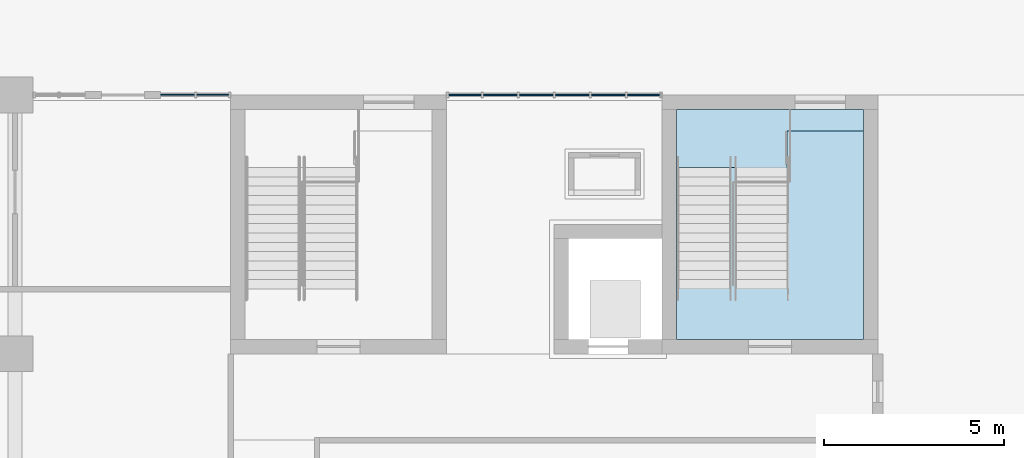
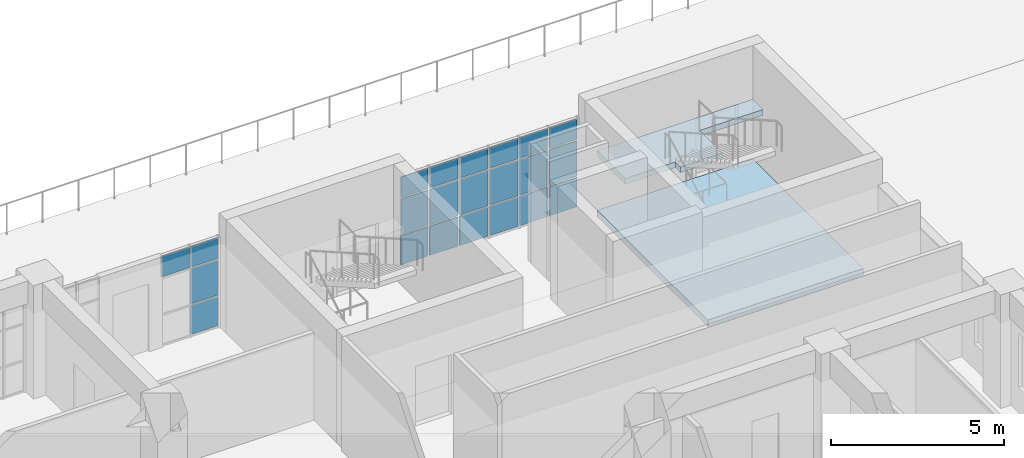
# One storey, part 66 of 101: 22 plates, 2 slabs, 3 elements without a shape of their own.
"""IFC4 building model written with IfcOpenShell, lengths in metres."""

import ifcopenshell
import ifcopenshell.guid

model = None  # the IFC model being written
_history = None  # IfcOwnerHistory: only IFC2X3 demands one
_inside = {}  # id of a spatial element -> (the spatial element, [elements in it])
_under = {}  # id of a project, library or spatial element -> (it, [spatial elements below it])
_declared = {}  # id of a project -> (the project, [libraries it declares])
_typed = {}  # id of a type object -> (the type object, [elements of that type])
_made_of = {}  # id of a material, layer set ... -> (it, [elements and type objects made of it])


def new_model(schema):
    """Start an empty IFC model of exactly this schema.

    Asked for "IFC4X3", IfcOpenShell would pick the latest addendum, in which some entities
    have other attributes; the version numbers below select the first issue.
    IFC2X3 requires an IfcOwnerHistory on every rooted entity: one is made here for all.
    """
    global model, _history
    if schema == "IFC4X3":
        model = ifcopenshell.file(schema_version=(4, 3, 0, 0))
    else:
        model = ifcopenshell.file(schema=schema)
    _inside.clear()
    _under.clear()
    _declared.clear()
    _typed.clear()
    _made_of.clear()
    _history = None
    if model.schema == "IFC2X3":
        org = make("IfcOrganization", Name="unknown")
        user = make(
            "IfcPersonAndOrganization",
            ThePerson=make("IfcPerson", FamilyName="unknown"),
            TheOrganization=org,
        )
        app = make(
            "IfcApplication",
            ApplicationDeveloper=org,
            Version="unknown",
            ApplicationFullName="unknown",
            ApplicationIdentifier="unknown",
        )
        _history = make(
            "IfcOwnerHistory",
            OwningUser=user,
            OwningApplication=app,
            ChangeAction="ADDED",
            CreationDate=0,
        )
    return model


def make(cls, **values):
    """One entity of the class cls with the attributes given. An attribute that is None is left unset."""
    return model.create_entity(
        cls, **{name: value for name, value in values.items() if value is not None}
    )


def rooted(cls, **values):
    """An entity with a GlobalId (a new one), such as an element, a storey or a relation."""
    return make(cls, GlobalId=ifcopenshell.guid.new(), OwnerHistory=_history, **values)


def si_unit(unit_type, name, prefix=None):
    """IfcSIUnit, for example si_unit("LENGTHUNIT", "METRE", prefix="MILLI")."""
    return make("IfcSIUnit", UnitType=unit_type, Prefix=prefix, Name=name)


def assignment(units):
    """IfcUnitAssignment: the units of a project."""
    return None if units is None else make("IfcUnitAssignment", Units=units)


def point(xyz):
    """IfcCartesianPoint."""
    return None if xyz is None else make("IfcCartesianPoint", Coordinates=xyz)


def direction(xyz):
    """IfcDirection."""
    return None if xyz is None else make("IfcDirection", DirectionRatios=xyz)


def frame(location, z_axis=None, x_axis=None):
    """IfcAxis2Placement3D, a coordinate frame: its origin and axes. An axis left out is left unset."""
    return make(
        "IfcAxis2Placement3D",
        Location=point(location),
        Axis=direction(z_axis),
        RefDirection=direction(x_axis),
    )


def frame_2d(location, x_axis=None):
    """IfcAxis2Placement2D, a coordinate frame in the plane: its origin and x axis."""
    return make(
        "IfcAxis2Placement2D", Location=point(location), RefDirection=direction(x_axis)
    )


def origin():
    """The frame at (0, 0, 0) with its axes left unset."""
    return frame((0.0, 0.0, 0.0))


def origin_2d():
    """The frame at (0, 0) in the plane with its x axis left unset."""
    return frame_2d((0.0, 0.0))


def place(relative_to, where):
    """IfcLocalPlacement: puts the frame where relative to a parent placement (None: the world)."""
    return make(
        "IfcLocalPlacement", PlacementRelTo=relative_to, RelativePlacement=where
    )


def context(
    kind, dimensions, precision=None, world=None, true_north=None, identifier=None
):
    """IfcGeometricRepresentationContext, for example the 3D "Model" context."""
    return make(
        "IfcGeometricRepresentationContext",
        ContextIdentifier=identifier,
        ContextType=kind,
        CoordinateSpaceDimension=dimensions,
        Precision=precision,
        WorldCoordinateSystem=world,
        TrueNorth=true_north,
    )


def subcontext(parent, identifier, kind, view, scale=None):
    """IfcGeometricRepresentationSubContext, for example "Body" below "Model"."""
    return make(
        "IfcGeometricRepresentationSubContext",
        ContextIdentifier=identifier,
        ContextType=kind,
        ParentContext=parent,
        TargetScale=scale,
        TargetView=view,
    )


def project(units=None, contexts=None):
    """IfcProject with its units and contexts."""
    return rooted(
        "IfcProject",
        Name="project",
        RepresentationContexts=contexts,
        UnitsInContext=assignment(units),
    )


def spatial(cls, under=None, at=None, **own):
    """A site, building, storey or space (cls), placed at a placement, below another one or the project."""
    s = rooted(cls, ObjectPlacement=at, **own)
    if under is not None:
        _under.setdefault(under.id(), (under, []))[1].append(s)
    return s


def polyline(points):
    """IfcPolyline through the points."""
    return make("IfcPolyline", Points=[point(p) for p in points])


def profile(cls, at=None, kind="AREA", **sizes):
    """A parametric profile (cls). Its sizes go by their IFC names, for example OverallWidth=200.0."""
    return make(cls, ProfileType=kind, Position=at, **sizes)


def rectangle(**sizes):
    """IfcRectangleProfileDef."""
    return profile("IfcRectangleProfileDef", **sizes)


def outline(outer, holes=None, kind="AREA"):
    """IfcArbitraryClosedProfileDef: a profile drawn as a closed curve; with holes, ...WithVoids."""
    if holes is None:
        return make("IfcArbitraryClosedProfileDef", ProfileType=kind, OuterCurve=outer)
    return make(
        "IfcArbitraryProfileDefWithVoids",
        ProfileType=kind,
        OuterCurve=outer,
        InnerCurves=holes,
    )


def extrude(swept, where, along, depth):
    """IfcExtrudedAreaSolid: the profile swept, set in the frame where, extruded along a direction by depth."""
    return make(
        "IfcExtrudedAreaSolid",
        SweptArea=swept,
        Position=where,
        ExtrudedDirection=direction(along),
        Depth=depth,
    )


def shape(context_of_items, identifier, shape_type, items):
    """IfcShapeRepresentation: the items that make up one representation, for example the "Body"."""
    return make(
        "IfcShapeRepresentation",
        ContextOfItems=context_of_items,
        RepresentationIdentifier=identifier,
        RepresentationType=shape_type,
        Items=items,
    )


def material(Name=None, Category=None):
    """IfcMaterial."""
    return make("IfcMaterial", Name=Name, Category=Category)


def layer(
    of_material, thickness, ventilated=None, Name=None, Category=None, Priority=None
):
    """IfcMaterialLayer: one layer of a wall or slab, of a material (None: an air gap)."""
    return make(
        "IfcMaterialLayer",
        Material=of_material,
        LayerThickness=thickness,
        IsVentilated=ventilated,
        Name=Name,
        Category=Category,
        Priority=Priority,
    )


def layer_set(layers, Name=None):
    """IfcMaterialLayerSet."""
    return make("IfcMaterialLayerSet", MaterialLayers=layers, LayerSetName=Name)


def made_of(thing, what):
    """Note that an element or type object is made of a material, layer set ...; save() writes the relation."""
    if what is not None:
        _made_of.setdefault(what.id(), (what, []))[1].append(thing)
    return thing


def type_object(cls, material=None, **own):
    """A type object (cls), such as IfcWallType, which elements share."""
    return made_of(rooted(cls, **own), material)


def element(
    cls,
    number,
    at=None,
    inside=None,
    cuts=None,
    type_object=None,
    material=None,
    context=None,
    identifier="Body",
    shape_type=None,
    held_by="IfcProductDefinitionShape",
    body=None,
    shapes=None,
    **own,
):
    """One element of the class cls, such as IfcWall. Its Tag is "e" and its number.

    at: its placement. inside: the storey or other place that contains it. cuts: it is an
    opening in that element (IfcRelVoidsElement). A single representation is given by context,
    identifier, shape_type and body (its items); several are given by shapes. held_by: the class
    of the entity that holds the representations. save() writes the other relations.
    """
    e = rooted(cls, Tag="e%d" % number, ObjectPlacement=at, **own)
    if body is not None:
        shapes = [shape(context, identifier, shape_type, body)]
    if shapes is not None:
        e.Representation = make(held_by, Representations=shapes)
    if inside is not None:
        _inside.setdefault(inside.id(), (inside, []))[1].append(e)
    if cuts is not None:
        rooted(
            "IfcRelVoidsElement", RelatingBuildingElement=cuts, RelatedOpeningElement=e
        )
    if type_object is not None:
        _typed.setdefault(type_object.id(), (type_object, []))[1].append(e)
    return made_of(e, material)


def aggregate(whole, parts):
    """IfcRelAggregates: a whole, such as a stair, and the parts it consists of."""
    return rooted("IfcRelAggregates", RelatingObject=whole, RelatedObjects=parts)


def save(model, path):
    """Write the relations noted so far, then the file.

    IfcRelAggregates (storeys below a building ...), IfcRelContainedInSpatialStructure (elements
    in a storey), IfcRelDefinesByType, IfcRelAssociatesMaterial and IfcRelDeclares: one each for
    every whole, place, type object, material and project.
    """
    for whole, parts in _under.values():
        aggregate(whole, parts)
    for where, things in _inside.values():
        rooted(
            "IfcRelContainedInSpatialStructure",
            RelatedElements=things,
            RelatingStructure=where,
        )
    for kind, things in _typed.values():
        rooted("IfcRelDefinesByType", RelatedObjects=things, RelatingType=kind)
    for what, things in _made_of.values():
        rooted("IfcRelAssociatesMaterial", RelatedObjects=things, RelatingMaterial=what)
    for by, libraries in _declared.values():
        rooted("IfcRelDeclares", RelatingContext=by, RelatedDefinitions=libraries)
    model.write(path)


model = new_model("IFC4")

# Units and contexts
model_context = context("Model", 3, precision=1e-05, world=origin(), true_north=direction((0.0, 1.0)))
body_context = subcontext(model_context, "Body", "Model", "MODEL_VIEW")
ifc_project = project(units=[si_unit("LENGTHUNIT", "METRE"), si_unit("AREAUNIT", "SQUARE_METRE"), si_unit("VOLUMEUNIT", "CUBIC_METRE"), si_unit("PLANEANGLEUNIT", "RADIAN"), si_unit("MASSUNIT", "GRAM", prefix="KILO")], contexts=[model_context])

# Site, building, storey
site_placement = place(None, origin())
site = spatial("IfcSite", under=ifc_project, at=site_placement, CompositionType="ELEMENT")
building_placement = place(site_placement, origin())
building = spatial("IfcBuilding", under=site, at=building_placement, Name="Laocheng Heights Fire and Rescue Headquarters", CompositionType="ELEMENT")
storey_placement = place(building_placement, frame((0.0, 0.0, 8.39990234375)))
storey = spatial("IfcBuildingStorey", under=building, at=storey_placement, Name="L02", CompositionType="ELEMENT", Elevation=8.39990234375)

# Curtain wall, plates
ifc_material_1 = material(Name="Dark anodised aluminium unitised curtain wall, low-e double glazing", Category="aluminium")
curtain_wall_type_1 = type_object("IfcCurtainWallType", Name="CW 6000 x 3200 HQ NORTH GLAZING", PredefinedType="NOTDEFINED", material=ifc_material_1)
curtain_wall_1_placement = place(storey_placement, origin())
curtain_wall_1 = element("IfcCurtainWall", 1, at=curtain_wall_1_placement, inside=storey, type_object=curtain_wall_type_1, Name="X20-X HQ NORTH L02", PredefinedType="NOTDEFINED")
ifc_material_2 = material(Name="Laminated safety glass, low-e double glazed unit", Category="glass")
ifc_layer_1 = layer(ifc_material_2, 0.0400390625)
ifc_layer_set_1 = layer_set([ifc_layer_1], Name="Laminated safety glass, low-e double glazed unit")
plate_type_1 = type_object("IfcPlateType", Name="CW LAMINATED SAFETY PANEL 40 X", PredefinedType="CURTAIN_PANEL", material=ifc_layer_set_1)
plate_1_placement = place(storey_placement, frame((72.514892578125, 72.0, 0.050048828125), z_axis=(0.0, 0.0, 1.0), x_axis=(1.0, 0.0, 0.0)))
plate_1 = element("IfcPlate", 2, at=plate_1_placement, type_object=plate_type_1, Name="X20-X panel 1.1", PredefinedType="CURTAIN_PANEL", context=body_context, shape_type="SweptSolid", body=[
    extrude(rectangle(XDim=0.909912109375, YDim=0.0400390625, at=origin_2d()), origin(), (0.0, 0.0, 1.0), 1.02490234375),
])
plate_2_placement = place(storey_placement, frame((73.5, 72.0, 0.050048828125), z_axis=(0.0, 0.0, 1.0), x_axis=(1.0, 0.0, 0.0)))
plate_2 = element("IfcPlate", 3, at=plate_2_placement, type_object=plate_type_1, Name="X20-X panel 2.1", PredefinedType="CURTAIN_PANEL", context=body_context, shape_type="SweptSolid", body=[
    extrude(rectangle(XDim=0.93994140625, YDim=0.0400390625, at=origin_2d()), origin(), (0.0, 0.0, 1.0), 1.02490234375),
])
plate_3_placement = place(storey_placement, frame((74.5, 72.0, 0.050048828125), z_axis=(0.0, 0.0, 1.0), x_axis=(1.0, 0.0, 0.0)))
plate_3 = element("IfcPlate", 4, at=plate_3_placement, type_object=plate_type_1, Name="X20-X panel 3.1", PredefinedType="CURTAIN_PANEL", context=body_context, shape_type="SweptSolid", body=[
    extrude(rectangle(XDim=0.93994140625, YDim=0.0400390625, at=origin_2d()), origin(), (0.0, 0.0, 1.0), 1.02490234375),
])
plate_4_placement = place(storey_placement, frame((75.5, 72.0, 0.050048828125), z_axis=(0.0, 0.0, 1.0), x_axis=(1.0, 0.0, 0.0)))
plate_4 = element("IfcPlate", 5, at=plate_4_placement, type_object=plate_type_1, Name="X20-X panel 4.1", PredefinedType="CURTAIN_PANEL", context=body_context, shape_type="SweptSolid", body=[
    extrude(rectangle(XDim=0.93994140625, YDim=0.0400390625, at=origin_2d()), origin(), (0.0, 0.0, 1.0), 1.02490234375),
])
plate_5_placement = place(storey_placement, frame((76.5, 72.0, 0.050048828125), z_axis=(0.0, 0.0, 1.0), x_axis=(1.0, 0.0, 0.0)))
plate_5 = element("IfcPlate", 6, at=plate_5_placement, type_object=plate_type_1, Name="X20-X panel 5.1", PredefinedType="CURTAIN_PANEL", context=body_context, shape_type="SweptSolid", body=[
    extrude(rectangle(XDim=0.93994140625, YDim=0.0400390625, at=origin_2d()), origin(), (0.0, 0.0, 1.0), 1.02490234375),
])
plate_6_placement = place(storey_placement, frame((77.485107421875, 72.0, 0.050048828125), z_axis=(0.0, 0.0, 1.0), x_axis=(1.0, 0.0, 0.0)))
plate_6 = element("IfcPlate", 7, at=plate_6_placement, type_object=plate_type_1, Name="X20-X panel 6.1", PredefinedType="CURTAIN_PANEL", context=body_context, shape_type="SweptSolid", body=[
    extrude(rectangle(XDim=0.909912109375, YDim=0.0400390625, at=origin_2d()), origin(), (0.0, 0.0, 1.0), 1.02490234375),
])

ifc_material_3 = material(Name="Dark anodised aluminium unitised curtain wall, low-e double glazing", Category="aluminium")
curtain_wall_type_2 = type_object("IfcCurtainWallType", Name="CW 1950 x 3200 HQ NORTH GLAZING", PredefinedType="NOTDEFINED", material=ifc_material_3)
curtain_wall_2_placement = place(storey_placement, origin())
curtain_wall_2 = element("IfcCurtainWall", 8, at=curtain_wall_2_placement, inside=storey, type_object=curtain_wall_type_2, Name="X19-X HQ NORTH L02", PredefinedType="NOTDEFINED")
ifc_material_4 = material(Name="Low-e double glazed unit, laminated inner pane")
ifc_layer_2 = layer(ifc_material_4, 0.028076171875)
ifc_layer_set_2 = layer_set([ifc_layer_2], Name="Low-e double glazed unit, laminated inner pane")
plate_type_2 = type_object("IfcPlateType", Name="CW VISION PANEL 28 X", PredefinedType="CURTAIN_PANEL", material=ifc_layer_set_2)
plate_7_placement = place(storey_placement, frame((64.5224609375, 72.0, 2.425048828125), z_axis=(0.0, 0.0, 1.0), x_axis=(1.0, 0.0, 0.0)))
plate_7 = element("IfcPlate", 9, at=plate_7_placement, type_object=plate_type_2, Name="X19-X panel 1.3", PredefinedType="CURTAIN_PANEL", context=body_context, shape_type="SweptSolid", body=[
    extrude(rectangle(XDim=0.945068359375, YDim=0.028076171875, at=origin_2d()), origin(), (0.0, 0.0, 1.0), 0.72509765625),
])
plate_8_placement = place(storey_placement, frame((65.49755859375, 72.0, 0.050048828125), z_axis=(0.0, 0.0, 1.0), x_axis=(1.0, 0.0, 0.0)))
plate_8 = element("IfcPlate", 10, at=plate_8_placement, type_object=plate_type_2, Name="X19-X panel 2.1", PredefinedType="CURTAIN_PANEL", context=body_context, shape_type="SweptSolid", body=[
    extrude(rectangle(XDim=0.885009765625, YDim=0.028076171875, at=origin_2d()), origin(), (0.0, 0.0, 1.0), 1.02490234375),
])
plate_9_placement = place(storey_placement, frame((65.49755859375, 72.0, 1.125), z_axis=(0.0, 0.0, 1.0), x_axis=(1.0, 0.0, 0.0)))
plate_9 = element("IfcPlate", 11, at=plate_9_placement, type_object=plate_type_2, Name="X19-X panel 2.2", PredefinedType="CURTAIN_PANEL", context=body_context, shape_type="SweptSolid", body=[
    extrude(rectangle(XDim=0.885009765625, YDim=0.028076171875, at=origin_2d()), origin(), (0.0, 0.0, 1.0), 1.25),
])
plate_10_placement = place(storey_placement, frame((65.49755859375, 72.0, 2.425048828125), z_axis=(0.0, 0.0, 1.0), x_axis=(1.0, 0.0, 0.0)))
plate_10 = element("IfcPlate", 12, at=plate_10_placement, type_object=plate_type_2, Name="X19-X panel 2.3", PredefinedType="CURTAIN_PANEL", context=body_context, shape_type="SweptSolid", body=[
    extrude(rectangle(XDim=0.885009765625, YDim=0.028076171875, at=origin_2d()), origin(), (0.0, 0.0, 1.0), 0.72509765625),
])
aggregate(curtain_wall_2, [plate_7, plate_8, plate_9, plate_10])

# Plate
plate_11_placement = place(storey_placement, frame((72.514892578125, 72.0, 1.125), z_axis=(0.0, 0.0, 1.0), x_axis=(1.0, 0.0, 0.0)))
plate_11 = element("IfcPlate", 13, at=plate_11_placement, type_object=plate_type_2, Name="X20-X panel 1.2", PredefinedType="CURTAIN_PANEL", context=body_context, shape_type="SweptSolid", body=[
    extrude(rectangle(XDim=0.909912109375, YDim=0.028076171875, at=origin_2d()), origin(), (0.0, 0.0, 1.0), 1.25),
])

plate_12_placement = place(storey_placement, frame((72.514892578125, 72.0, 2.425048828125), z_axis=(0.0, 0.0, 1.0), x_axis=(1.0, 0.0, 0.0)))
plate_12 = element("IfcPlate", 14, at=plate_12_placement, type_object=plate_type_2, Name="X20-X panel 1.3", PredefinedType="CURTAIN_PANEL", context=body_context, shape_type="SweptSolid", body=[
    extrude(rectangle(XDim=0.909912109375, YDim=0.028076171875, at=origin_2d()), origin(), (0.0, 0.0, 1.0), 0.72509765625),
])

plate_13_placement = place(storey_placement, frame((73.5, 72.0, 1.125), z_axis=(0.0, 0.0, 1.0), x_axis=(1.0, 0.0, 0.0)))
plate_13 = element("IfcPlate", 15, at=plate_13_placement, type_object=plate_type_2, Name="X20-X panel 2.2", PredefinedType="CURTAIN_PANEL", context=body_context, shape_type="SweptSolid", body=[
    extrude(rectangle(XDim=0.93994140625, YDim=0.028076171875, at=origin_2d()), origin(), (0.0, 0.0, 1.0), 1.25),
])

plate_14_placement = place(storey_placement, frame((73.5, 72.0, 2.425048828125), z_axis=(0.0, 0.0, 1.0), x_axis=(1.0, 0.0, 0.0)))
plate_14 = element("IfcPlate", 16, at=plate_14_placement, type_object=plate_type_2, Name="X20-X panel 2.3", PredefinedType="CURTAIN_PANEL", context=body_context, shape_type="SweptSolid", body=[
    extrude(rectangle(XDim=0.93994140625, YDim=0.028076171875, at=origin_2d()), origin(), (0.0, 0.0, 1.0), 0.72509765625),
])

plate_15_placement = place(storey_placement, frame((74.5, 72.0, 1.125), z_axis=(0.0, 0.0, 1.0), x_axis=(1.0, 0.0, 0.0)))
plate_15 = element("IfcPlate", 17, at=plate_15_placement, type_object=plate_type_2, Name="X20-X panel 3.2", PredefinedType="CURTAIN_PANEL", context=body_context, shape_type="SweptSolid", body=[
    extrude(rectangle(XDim=0.93994140625, YDim=0.028076171875, at=origin_2d()), origin(), (0.0, 0.0, 1.0), 1.25),
])

plate_16_placement = place(storey_placement, frame((74.5, 72.0, 2.425048828125), z_axis=(0.0, 0.0, 1.0), x_axis=(1.0, 0.0, 0.0)))
plate_16 = element("IfcPlate", 18, at=plate_16_placement, type_object=plate_type_2, Name="X20-X panel 3.3", PredefinedType="CURTAIN_PANEL", context=body_context, shape_type="SweptSolid", body=[
    extrude(rectangle(XDim=0.93994140625, YDim=0.028076171875, at=origin_2d()), origin(), (0.0, 0.0, 1.0), 0.72509765625),
])

plate_17_placement = place(storey_placement, frame((75.5, 72.0, 1.125), z_axis=(0.0, 0.0, 1.0), x_axis=(1.0, 0.0, 0.0)))
plate_17 = element("IfcPlate", 19, at=plate_17_placement, type_object=plate_type_2, Name="X20-X panel 4.2", PredefinedType="CURTAIN_PANEL", context=body_context, shape_type="SweptSolid", body=[
    extrude(rectangle(XDim=0.93994140625, YDim=0.028076171875, at=origin_2d()), origin(), (0.0, 0.0, 1.0), 1.25),
])

plate_18_placement = place(storey_placement, frame((75.5, 72.0, 2.425048828125), z_axis=(0.0, 0.0, 1.0), x_axis=(1.0, 0.0, 0.0)))
plate_18 = element("IfcPlate", 20, at=plate_18_placement, type_object=plate_type_2, Name="X20-X panel 4.3", PredefinedType="CURTAIN_PANEL", context=body_context, shape_type="SweptSolid", body=[
    extrude(rectangle(XDim=0.93994140625, YDim=0.028076171875, at=origin_2d()), origin(), (0.0, 0.0, 1.0), 0.72509765625),
])

plate_19_placement = place(storey_placement, frame((76.5, 72.0, 1.125), z_axis=(0.0, 0.0, 1.0), x_axis=(1.0, 0.0, 0.0)))
plate_19 = element("IfcPlate", 21, at=plate_19_placement, type_object=plate_type_2, Name="X20-X panel 5.2", PredefinedType="CURTAIN_PANEL", context=body_context, shape_type="SweptSolid", body=[
    extrude(rectangle(XDim=0.93994140625, YDim=0.028076171875, at=origin_2d()), origin(), (0.0, 0.0, 1.0), 1.25),
])

plate_20_placement = place(storey_placement, frame((76.5, 72.0, 2.425048828125), z_axis=(0.0, 0.0, 1.0), x_axis=(1.0, 0.0, 0.0)))
plate_20 = element("IfcPlate", 22, at=plate_20_placement, type_object=plate_type_2, Name="X20-X panel 5.3", PredefinedType="CURTAIN_PANEL", context=body_context, shape_type="SweptSolid", body=[
    extrude(rectangle(XDim=0.93994140625, YDim=0.028076171875, at=origin_2d()), origin(), (0.0, 0.0, 1.0), 0.72509765625),
])

plate_21_placement = place(storey_placement, frame((77.485107421875, 72.0, 1.125), z_axis=(0.0, 0.0, 1.0), x_axis=(1.0, 0.0, 0.0)))
plate_21 = element("IfcPlate", 23, at=plate_21_placement, type_object=plate_type_2, Name="X20-X panel 6.2", PredefinedType="CURTAIN_PANEL", context=body_context, shape_type="SweptSolid", body=[
    extrude(rectangle(XDim=0.909912109375, YDim=0.028076171875, at=origin_2d()), origin(), (0.0, 0.0, 1.0), 1.25),
])

plate_22_placement = place(storey_placement, frame((77.485107421875, 72.0, 2.425048828125), z_axis=(0.0, 0.0, 1.0), x_axis=(1.0, 0.0, 0.0)))
plate_22 = element("IfcPlate", 24, at=plate_22_placement, type_object=plate_type_2, Name="X20-X panel 6.3", PredefinedType="CURTAIN_PANEL", context=body_context, shape_type="SweptSolid", body=[
    extrude(rectangle(XDim=0.909912109375, YDim=0.028076171875, at=origin_2d()), origin(), (0.0, 0.0, 1.0), 0.72509765625),
])

aggregate(curtain_wall_1, [plate_1, plate_11, plate_12, plate_2, plate_13, plate_14, plate_3, plate_15, plate_16, plate_4, plate_17, plate_18, plate_5, plate_19, plate_20, plate_6, plate_21, plate_22])

# Stair, slabs
ifc_material_5 = material(Name="Concrete C40", Category="concrete")
stair_type = type_object("IfcStairType", Name="RC STAIR 1400 TWO FLIGHTS 28 RISERS OF 150 GOING 260", PredefinedType="HALF_TURN_STAIR", material=ifc_material_5)
stair_placement = place(storey_placement, origin())
stair = element("IfcStair", 25, at=stair_placement, inside=storey, type_object=stair_type, Name="Stair H2 (L02 to L03)", PredefinedType="HALF_TURN_STAIR")
ifc_material_6 = material(Name="Concrete C40", Category="concrete")
ifc_layer_3 = layer(ifc_material_6, 0.22998046875)
ifc_layer_set_3 = layer_set([ifc_layer_3], Name="Concrete C40")
slab_type_1 = type_object("IfcSlabType", Name="STAIR FLOOR LANDING 230", PredefinedType="LANDING", material=ifc_layer_set_3)
slab_1_placement = place(storey_placement, frame((0.0, 0.0, -0.22998046875)))
slab_1 = element("IfcSlab", 26, at=slab_1_placement, type_object=slab_type_1, Name="Stair H2 floor landing L02", PredefinedType="LANDING", context=body_context, shape_type="SweptSolid", body=[
    extrude(outline(polyline([(78.39990234375, 71.60009765625), (83.60009765625, 71.60009765625), (83.60009765625, 65.199951171875), (78.39990234375, 65.199951171875), (78.39990234375, 71.60009765625)])), origin(), (0.0, 0.0, 1.0), 0.22998046875),
])
ifc_material_7 = material(Name="Concrete C40", Category="concrete")
ifc_layer_4 = layer(ifc_material_7, 0.201904296875)
ifc_layer_set_4 = layer_set([ifc_layer_4], Name="Concrete C40")
slab_type_2 = type_object("IfcSlabType", Name="STAIR HALF LANDING 202", PredefinedType="LANDING", material=ifc_layer_set_4)
slab_2_placement = place(storey_placement, frame((0.0, 0.0, 1.900146484375)))
slab_2 = element("IfcSlab", 27, at=slab_2_placement, type_object=slab_type_2, Name="H2-L02 landing 1", PredefinedType="LANDING", context=body_context, shape_type="SweptSolid", body=[
    extrude(outline(polyline([(83.60009765625, 71.0), (83.60009765625, 71.60009765625), (81.47509765625, 71.60009765625), (80.074951171875, 71.60009765625), (78.39990234375, 71.60009765625), (78.39990234375, 69.97705078125), (80.074951171875, 69.97705078125), (80.074951171875, 69.679931640625), (81.47509765625, 69.679931640625), (81.47509765625, 71.0), (83.60009765625, 71.0)])), origin(), (0.0, 0.0, 1.0), 0.201904296875),
])
aggregate(stair, [slab_2, slab_1])

save(model, "model.ifc")
